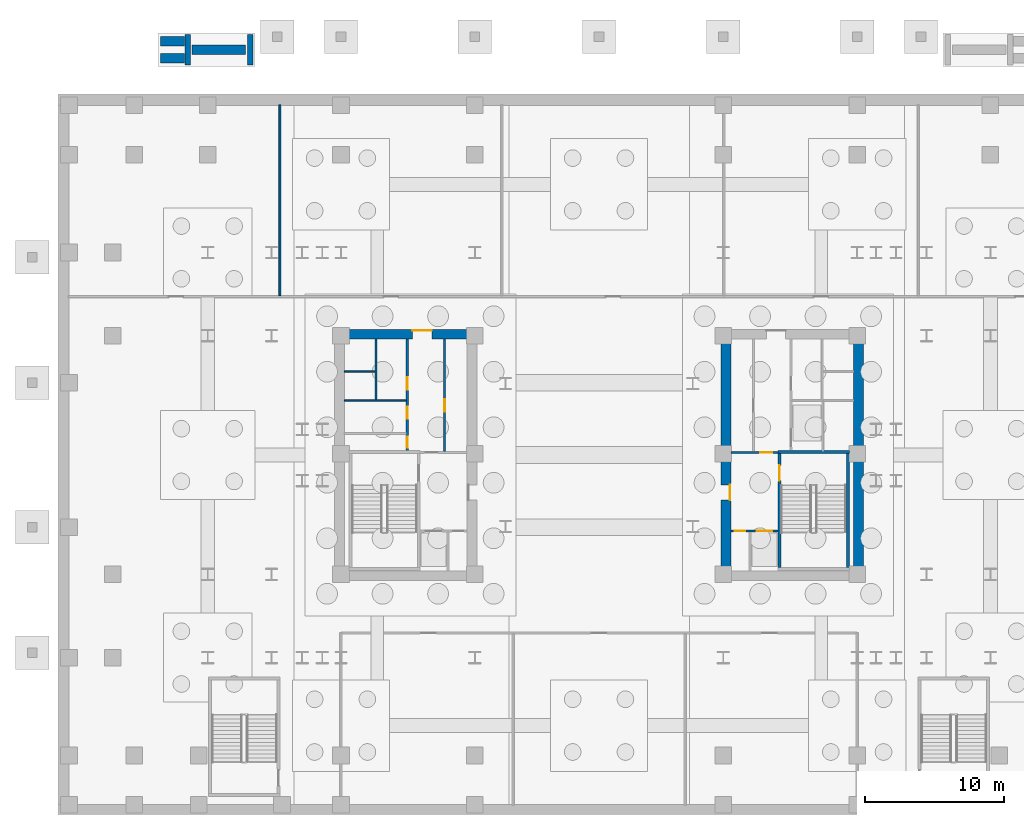
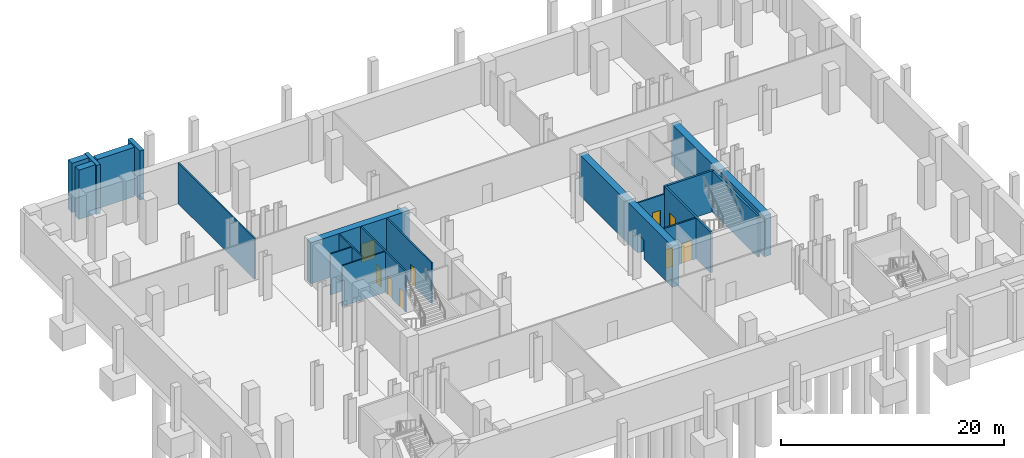
# One storey, part 5 of 10: 19 walls, 10 doors, 10 openings.
"""IFC4 building model written with IfcOpenShell, lengths in metres."""

from ifc_helpers import new_model, si_unit, direction, frame, frame_2d, origin, place, context, subcontext, project, spatial, rectangle, extrude, material, layer, layer_set, type_object, element, fill, save


model = new_model("IFC4")

# Units and contexts
model_context = context("Model", 3, precision=1e-05, world=origin(), true_north=direction((0.0, 1.0)))
body_context = subcontext(model_context, "Body", "Model", "MODEL_VIEW")
ifc_project = project(units=[si_unit("LENGTHUNIT", "METRE"), si_unit("AREAUNIT", "SQUARE_METRE"), si_unit("VOLUMEUNIT", "CUBIC_METRE"), si_unit("PLANEANGLEUNIT", "RADIAN"), si_unit("MASSUNIT", "GRAM", prefix="KILO")], contexts=[model_context])

# Site, building, storey
site_placement = place(None, origin())
site = spatial("IfcSite", under=ifc_project, at=site_placement, CompositionType="ELEMENT")
building_placement = place(site_placement, origin())
building = spatial("IfcBuilding", under=site, at=building_placement, Name="Velakula Bourse", CompositionType="ELEMENT")
storey_placement = place(building_placement, frame((0.0, 0.0, -9.60009765625)))
storey = spatial("IfcBuildingStorey", under=building, at=storey_placement, Name="B02", CompositionType="ELEMENT", Elevation=-9.60009765625)

# Wall, opening, door
ifc_material_1 = material(Name="Concrete M50 (fck 50 MPa)", Category="concrete")
ifc_layer_1 = layer(ifc_material_1, 0.2099609375, Name="Concrete M50 (fck 50 MPa)", Category="concrete")
ifc_layer_set_1 = layer_set([ifc_layer_1], Name="Concrete M50 (fck 50 MPa)")
wall_type_1 = type_object("IfcWallType", Name="WL-CORE-210", PredefinedType="SHEAR", material=ifc_layer_set_1)
wall_1_placement = place(storey_placement, frame((12.9951171875, -8.10009765625, 0.0), z_axis=(0.0, 0.0, 1.0), x_axis=(0.0, 1.0, 0.0)))
wall_1 = element("IfcWall", 1, at=wall_1_placement, inside=storey, type_object=wall_type_1, Name="B02 Core E Stairwell Shear Wall IN", PredefinedType="SHEAR", context=body_context, shape_type="SweptSolid", body=[
    extrude(rectangle(XDim=8.2001953125, YDim=0.2099609375, at=frame_2d((4.10009765625, 0.0))), origin(), (0.0, 0.0, 1.0), 4.5),
])
opening_1_placement = place(wall_1_placement, frame((6.25, 0.0, 0.0)))
opening_1 = element("IfcOpeningElement", 2, at=opening_1_placement, cuts=wall_1, Name="Opening D-STE1", PredefinedType="OPENING", context=body_context, shape_type="SweptSolid", body=[
    extrude(rectangle(XDim=1.10009765625, YDim=2.14990234375, at=frame_2d((0.550048828125, 1.074951171875))), frame((0.0, 0.114990234375, 0.0), z_axis=(0.0, -1.0, 0.0), x_axis=(1.0, 0.0, 0.0)), (0.0, 0.0, 1.0), 0.22998046875),
])
ifc_material_2 = material(Name="Galvanised painted hollow steel fire door", Category="steel")
door_type_1 = type_object("IfcDoorType", Name="DR-FD120-1100x2150", OperationType="NOTDEFINED", PredefinedType="DOOR", material=ifc_material_2)
door_1_placement = place(opening_1_placement, origin())
door_1 = element("IfcDoor", 3, at=door_1_placement, inside=storey, type_object=door_type_1, Name="B02 Stair ST-E1 Fire Door", OperationType="SINGLE_SWING_RIGHT", OverallHeight=2.14990234375, OverallWidth=1.10009765625, PredefinedType="DOOR", context=body_context, shape_type="SweptSolid", body=[
    extrude(rectangle(XDim=1.10009765625, YDim=2.14990234375, at=frame_2d((0.550048828125, 1.074951171875))), frame((0.0, 0.02490234375, 0.0), z_axis=(0.0, -1.0, 0.0), x_axis=(1.0, 0.0, 0.0)), (0.0, 0.0, 1.0), 0.050048828125),
])
fill(opening_1, door_1)

# Walls
wall_2_placement = place(storey_placement, frame((17.925048828125, -8.10009765625, 0.0), z_axis=(0.0, 0.0, 1.0), x_axis=(0.0, 1.0, 0.0)))
element("IfcWall", 4, at=wall_2_placement, inside=storey, type_object=wall_type_1, Name="B02 Core E Stairwell Shear Wall OUT", PredefinedType="SHEAR", context=body_context, shape_type="SweptSolid", body=[
    extrude(rectangle(XDim=8.2001953125, YDim=0.2099609375, at=frame_2d((4.10009765625, 0.0))), origin(), (0.0, 0.0, 1.0), 4.5),
])
wall_3_placement = place(storey_placement, frame((18.030029296875, 0.205078125, 0.0), z_axis=(0.0, 0.0, 1.0), x_axis=(-1.0, 0.0, 0.0)))
element("IfcWall", 5, at=wall_3_placement, inside=storey, type_object=wall_type_1, Name="B02 Core E Stairwell Shear Wall N", PredefinedType="SHEAR", context=body_context, shape_type="SweptSolid", body=[
    extrude(rectangle(XDim=5.14013671875, YDim=0.2099609375, at=frame_2d((2.570068359375, 0.0))), origin(), (0.0, 0.0, 1.0), 4.5),
])

# Wall, opening, door
ifc_material_3 = material(Name="Concrete M70 (fck 70 MPa)", Category="concrete")
ifc_layer_2 = layer(ifc_material_3, 0.699951171875, Name="Concrete M70 (fck 70 MPa)", Category="concrete")
ifc_layer_set_2 = layer_set([ifc_layer_2], Name="Concrete M70 (fck 70 MPa)")
wall_type_2 = type_object("IfcWallType", Name="WL-CORE-700", PredefinedType="SHEAR", material=ifc_layer_set_2)
wall_4_placement = place(storey_placement, frame((-19.050048828125, 8.699951171875, 0.0), z_axis=(0.0, 0.0, 1.0), x_axis=(1.0, 0.0, 0.0)))
wall_4 = element("IfcWall", 6, at=wall_4_placement, inside=storey, type_object=wall_type_2, Name="B02 Core W Shear Wall N", PredefinedType="SHEAR", context=body_context, shape_type="SweptSolid", body=[
    extrude(rectangle(XDim=10.25, YDim=0.699951171875, at=frame_2d((5.125, 0.0))), origin(), (0.0, 0.0, 1.0), 4.5),
])
opening_2_placement = place(wall_4_placement, frame((5.60009765625, 0.0, 0.0)))
opening_2 = element("IfcOpeningElement", 7, at=opening_2_placement, cuts=wall_4, Name="Opening D-LLW", PredefinedType="OPENING", context=body_context, shape_type="SweptSolid", body=[
    extrude(rectangle(XDim=1.39990234375, YDim=2.050048828125, at=frame_2d((0.699951171875, 1.02490234375))), frame((0.0, 0.35986328125, 0.0), z_axis=(0.0, -1.0, 0.0), x_axis=(1.0, 0.0, 0.0)), (0.0, 0.0, 1.0), 0.719970703125),
])
ifc_material_4 = material(Name="Fire-rated hardwood flush architectural door", Category="wood")
door_type_2 = type_object("IfcDoorType", Name="DR-DBL-FD60-1400", OperationType="DOUBLE_DOOR_SINGLE_SWING", PredefinedType="DOOR", material=ifc_material_4)
door_2_placement = place(opening_2_placement, origin())
door_2 = element("IfcDoor", 8, at=door_2_placement, inside=storey, type_object=door_type_2, Name="B02 Core W Lift Lobby Corridor Double Door", OperationType="DOUBLE_DOOR_SINGLE_SWING", OverallHeight=2.050048828125, OverallWidth=1.39990234375, PredefinedType="DOOR", context=body_context, shape_type="SweptSolid", body=[
    extrude(rectangle(XDim=1.39990234375, YDim=2.050048828125, at=frame_2d((0.699951171875, 1.02490234375))), frame((0.0, 0.294921875, 0.0), z_axis=(0.0, -1.0, 0.0), x_axis=(1.0, 0.0, 0.0)), (0.0, 0.0, 1.0), 0.050048828125),
])
fill(opening_2, door_2)

wall_5_placement = place(storey_placement, frame((9.14990234375, -8.35009765625, 0.0), z_axis=(0.0, 0.0, 1.0), x_axis=(0.0, 1.0, 0.0)))
wall_5 = element("IfcWall", 9, at=wall_5_placement, inside=storey, type_object=wall_type_2, Name="B02 Core E Shear Wall W", PredefinedType="SHEAR", context=body_context, shape_type="SweptSolid", body=[
    extrude(rectangle(XDim=16.7001953125, YDim=0.699951171875, at=frame_2d((8.35009765625, 0.0))), origin(), (0.0, 0.0, 1.0), 4.5),
])
opening_3_placement = place(wall_5_placement, frame((5.10009765625, 0.0, 0.0)))
opening_3 = element("IfcOpeningElement", 10, at=opening_3_placement, cuts=wall_5, Name="Opening D-FLE", PredefinedType="OPENING", context=body_context, shape_type="SweptSolid", body=[
    extrude(rectangle(XDim=1.10009765625, YDim=2.080078125, at=frame_2d((0.550048828125, 1.0400390625))), frame((0.0, 0.35986328125, 0.0), z_axis=(0.0, -1.0, 0.0), x_axis=(1.0, 0.0, 0.0)), (0.0, 0.0, 1.0), 0.719970703125),
])
door_type_3 = type_object("IfcDoorType", Name="DR-FD120-1100", OperationType="NOTDEFINED", PredefinedType="DOOR", material=ifc_material_2)
door_3_placement = place(opening_3_placement, origin())
door_3 = element("IfcDoor", 11, at=door_3_placement, inside=storey, type_object=door_type_3, Name="B02 Firefighting Lobby E Corridor Fire Door", OperationType="SINGLE_SWING_RIGHT", OverallHeight=2.080078125, OverallWidth=1.10009765625, PredefinedType="DOOR", context=body_context, shape_type="SweptSolid", body=[
    extrude(rectangle(XDim=1.10009765625, YDim=2.080078125, at=frame_2d((0.550048828125, 1.0400390625))), frame((0.0, -0.2548828125, 0.0), z_axis=(0.0, -1.0, 0.0), x_axis=(1.0, 0.0, 0.0)), (0.0, 0.0, 1.0), 0.050048828125),
])
fill(opening_3, door_3)

# Walls
wall_6_placement = place(storey_placement, frame((18.699951171875, -8.35009765625, 0.0), z_axis=(0.0, 0.0, 1.0), x_axis=(0.0, 1.0, 0.0)))
element("IfcWall", 12, at=wall_6_placement, inside=storey, type_object=wall_type_2, Name="B02 Core E Shear Wall E", PredefinedType="SHEAR", context=body_context, shape_type="SweptSolid", body=[
    extrude(rectangle(XDim=16.7001953125, YDim=0.699951171875, at=frame_2d((8.35009765625, 0.0))), origin(), (0.0, 0.0, 1.0), 4.5),
])
ifc_material_5 = material(Name="Fire-rated double-layer gypsum drywall partition", Category="gypsum")
ifc_layer_3 = layer(ifc_material_5, 0.1201171875, Name="Fire-rated double-layer gypsum drywall partition", Category="gypsum")
ifc_layer_set_3 = layer_set([ifc_layer_3], Name="Fire-rated double-layer gypsum drywall partition")
wall_type_3 = type_object("IfcWallType", Name="WL-PART-120", PredefinedType="STANDARD", material=ifc_layer_set_3)
wall_7_placement = place(storey_placement, frame((-18.35009765625, 3.919921875, 0.0), z_axis=(0.0, 0.0, 1.0), x_axis=(1.0, 0.0, 0.0)))
element("IfcWall", 13, at=wall_7_placement, inside=storey, type_object=wall_type_3, Name="B02 Interior Partition WL-CRW-B02-HI-S", PredefinedType="STANDARD", context=body_context, shape_type="SweptSolid", body=[
    extrude(rectangle(XDim=4.4501953125, YDim=0.1201171875, at=frame_2d((2.22509765625, 0.0))), origin(), (0.0, 0.0, 1.0), 4.47998046875),
])
wall_8_placement = place(storey_placement, frame((-18.35009765625, 6.030029296875, 0.0), z_axis=(0.0, 0.0, 1.0), x_axis=(1.0, 0.0, 0.0)))
element("IfcWall", 14, at=wall_8_placement, inside=storey, type_object=wall_type_3, Name="B02 Interior Partition WL-CRW-B02-RIS-MID", PredefinedType="STANDARD", context=body_context, shape_type="SweptSolid", body=[
    extrude(rectangle(XDim=2.2001953125, YDim=0.1201171875, at=frame_2d((1.10009765625, 0.0))), origin(), (0.0, 0.0, 1.0), 4.47998046875),
])
wall_9_placement = place(storey_placement, frame((-16.074951171875, 3.97998046875, 0.0), z_axis=(0.0, 0.0, 1.0), x_axis=(0.0, 1.0, 0.0)))
element("IfcWall", 15, at=wall_9_placement, inside=storey, type_object=wall_type_3, Name="B02 Interior Partition WL-CRW-B02-RIS-F", PredefinedType="STANDARD", context=body_context, shape_type="SweptSolid", body=[
    extrude(rectangle(XDim=4.3701171875, YDim=0.1201171875, at=frame_2d((2.18505859375, 0.0))), origin(), (0.0, 0.0, 1.0), 4.47998046875),
])
ifc_layer_4 = layer(ifc_material_5, 0.139892578125, Name="Fire-rated double-layer gypsum drywall partition", Category="gypsum")
ifc_layer_set_4 = layer_set([ifc_layer_4], Name="Fire-rated double-layer gypsum drywall partition")
wall_type_4 = type_object("IfcWallType", Name="WL-PART-140", PredefinedType="STANDARD", material=ifc_layer_set_4)
wall_10_placement = place(storey_placement, frame((-23.0, 11.489990234375, 0.0), z_axis=(0.0, 0.0, 1.0), x_axis=(0.0, 1.0, 0.0)))
element("IfcWall", 16, at=wall_10_placement, inside=storey, type_object=wall_type_4, Name="B02 Interior Partition WL-POD-B02-ND1", PredefinedType="STANDARD", context=body_context, shape_type="SweptSolid", body=[
    extrude(rectangle(XDim=13.75, YDim=0.139892578125, at=frame_2d((6.875, 0.0))), origin(), (0.0, 0.0, 1.0), 4.47998046875),
])
ifc_layer_5 = layer(ifc_material_3, 0.679931640625, Name="Concrete M70 (fck 70 MPa)", Category="concrete")
ifc_layer_set_5 = layer_set([ifc_layer_5], Name="Concrete M70 (fck 70 MPa)")
wall_type_5 = type_object("IfcWallType", Name="WL-RET-680", PredefinedType="SOLIDWALL", material=ifc_layer_set_5)
for number, where, z_axis, x_axis, name in (
    (17, (-29.639892578125, 28.10009765625, -0.599853515625), (0.0, 0.0, 1.0), (0.0, 1.0, 0.0), "B02 Flood-Ramp BOT Abutment Wall NW"),
    (18, (-25.139892578125, 28.10009765625, -0.599853515625), (0.0, 0.0, 1.0), (0.0, 1.0, 0.0), "B02 Flood-Ramp TOP Abutment Wall NW"),
):
    element("IfcWall", number, at=place(storey_placement, frame(where, z_axis=z_axis, x_axis=x_axis)), inside=storey, type_object=wall_type_5, Name=name, PredefinedType="SOLIDWALL", context=body_context, shape_type="SweptSolid", body=[
        extrude(rectangle(XDim=2.199951171875, YDim=0.39990234375, at=frame_2d((1.10009765625, 0.0))), origin(), (0.0, 0.0, 1.0), 5.39990234375),
    ])
wall_11_placement = place(storey_placement, frame((-29.320068359375, 29.199951171875, -0.599853515625), z_axis=(0.0, 0.0, 1.0), x_axis=(1.0, 0.0, 0.0)))
element("IfcWall", 19, at=wall_11_placement, inside=storey, type_object=wall_type_5, Name="B02 Flood-Ramp Central Retaining Stem Wall NW", PredefinedType="SOLIDWALL", context=body_context, shape_type="SweptSolid", body=[
    extrude(rectangle(XDim=3.840087890625, YDim=0.679931640625, at=frame_2d((1.919921875, 0.0))), origin(), (0.0, 0.0, 1.0), 5.39990234375),
])
for number, where, z_axis, x_axis, name in (
    (20, (-31.60009765625, 28.580078125, -0.599853515625), (0.0, 0.0, 1.0), (1.0, 0.0, 0.0), "B02 Flood-Ramp Landing Stem Wall NW-1"),
    (21, (-31.60009765625, 29.820068359375, -0.599853515625), (0.0, 0.0, 1.0), (1.0, 0.0, 0.0), "B02 Flood-Ramp Landing Stem Wall NW-2"),
):
    element("IfcWall", number, at=place(storey_placement, frame(where, z_axis=z_axis, x_axis=x_axis)), inside=storey, type_object=wall_type_5, Name=name, PredefinedType="SOLIDWALL", context=body_context, shape_type="SweptSolid", body=[
        extrude(rectangle(XDim=1.739990234375, YDim=0.679931640625, at=frame_2d((0.8701171875, 0.0))), origin(), (0.0, 0.0, 1.0), 5.39990234375),
    ])

# Wall, opening, door
ifc_material_6 = material(Name="Autoclaved aerated concrete blockwork masonry", Category="masonry")
ifc_layer_6 = layer(ifc_material_6, 0.14990234375, Name="Autoclaved aerated concrete blockwork masonry", Category="masonry")
ifc_layer_set_6 = layer_set([ifc_layer_6], Name="Autoclaved aerated concrete blockwork masonry")
wall_type_6 = type_object("IfcWallType", Name="WL-SHAFT-150", PredefinedType="STANDARD", material=ifc_layer_set_6)
wall_12_placement = place(storey_placement, frame((-11.125, 0.27001953125, 0.0), z_axis=(0.0, 0.0, 1.0), x_axis=(0.0, 1.0, 0.0)))
wall_12 = element("IfcWall", 22, at=wall_12_placement, inside=storey, type_object=wall_type_6, Name="B02 Interior Partition WL-CRW-B02-BANK-F", PredefinedType="STANDARD", context=body_context, shape_type="SweptSolid", body=[
    extrude(rectangle(XDim=8.080078125, YDim=0.14990234375, at=frame_2d((4.0400390625, 0.0))), origin(), (0.0, 0.0, 1.0), 4.47998046875),
])
opening_4_placement = place(wall_12_placement, frame((2.85009765625, 0.0, 0.0)))
opening_4 = element("IfcOpeningElement", 23, at=opening_4_placement, cuts=wall_12, Name="Opening D-CR1", PredefinedType="OPENING", context=body_context, shape_type="SweptSolid", body=[
    extrude(rectangle(XDim=0.89990234375, YDim=2.050048828125, at=frame_2d((0.449951171875, 1.02490234375))), frame((0.0, 0.0849609375, 0.0), z_axis=(0.0, -1.0, 0.0), x_axis=(1.0, 0.0, 0.0)), (0.0, 0.0, 1.0), 0.169921875),
])
door_type_4 = type_object("IfcDoorType", Name="DR-FD60-900", OperationType="NOTDEFINED", PredefinedType="DOOR", material=ifc_material_4)
door_4_placement = place(opening_4_placement, origin())
door_4 = element("IfcDoor", 24, at=door_4_placement, inside=storey, type_object=door_type_4, Name="B02 Core West Pit Room Door", OperationType="SINGLE_SWING_LEFT", OverallHeight=2.050048828125, OverallWidth=0.89990234375, PredefinedType="DOOR", context=body_context, shape_type="SweptSolid", body=[
    extrude(rectangle(XDim=0.89990234375, YDim=2.050048828125, at=frame_2d((0.449951171875, 1.02490234375))), frame((0.0, 0.02490234375, 0.0), z_axis=(0.0, -1.0, 0.0), x_axis=(1.0, 0.0, 0.0)), (0.0, 0.0, 1.0), 0.050048828125),
])
fill(opening_4, door_4)

# Wall, openings, doors
wall_13_placement = place(storey_placement, frame((-13.824951171875, 0.27001953125, 0.0), z_axis=(0.0, 0.0, 1.0), x_axis=(0.0, 1.0, 0.0)))
wall_13 = element("IfcWall", 25, at=wall_13_placement, inside=storey, type_object=wall_type_6, Name="B02 Interior Partition WL-CRW-B02-OUT-F", PredefinedType="STANDARD", context=body_context, shape_type="SweptSolid", body=[
    extrude(rectangle(XDim=8.080078125, YDim=0.14990234375, at=frame_2d((4.0400390625, 0.0))), origin(), (0.0, 0.0, 1.0), 4.47998046875),
])
opening_5_placement = place(wall_13_placement, frame((4.449951171875, 0.0, 0.0)))
opening_5 = element("IfcOpeningElement", 26, at=opening_5_placement, cuts=wall_13, Name="Opening D-CR2", PredefinedType="OPENING", context=body_context, shape_type="SweptSolid", body=[
    extrude(rectangle(XDim=0.89990234375, YDim=2.050048828125, at=frame_2d((0.449951171875, 1.02490234375))), frame((0.0, 0.0849609375, 0.0), z_axis=(0.0, -1.0, 0.0), x_axis=(1.0, 0.0, 0.0)), (0.0, 0.0, 1.0), 0.169921875),
])
opening_6_placement = place(wall_13_placement, frame((0.25, 0.0, 0.0)))
opening_6 = element("IfcOpeningElement", 27, at=opening_6_placement, cuts=wall_13, Name="Opening D-CS1", PredefinedType="OPENING", context=body_context, shape_type="SweptSolid", body=[
    extrude(rectangle(XDim=0.800048828125, YDim=2.050048828125, at=frame_2d((0.39990234375, 1.02490234375))), frame((0.0, 0.0849609375, 0.0), z_axis=(0.0, -1.0, 0.0), x_axis=(1.0, 0.0, 0.0)), (0.0, 0.0, 1.0), 0.169921875),
])
opening_7_placement = place(wall_13_placement, frame((2.35009765625, 0.0, 0.0)))
opening_7 = element("IfcOpeningElement", 28, at=opening_7_placement, cuts=wall_13, Name="Opening D-CW1", PredefinedType="OPENING", context=body_context, shape_type="SweptSolid", body=[
    extrude(rectangle(XDim=0.85009765625, YDim=2.050048828125, at=frame_2d((0.425048828125, 1.02490234375))), frame((0.0, 0.0849609375, 0.0), z_axis=(0.0, -1.0, 0.0), x_axis=(1.0, 0.0, 0.0)), (0.0, 0.0, 1.0), 0.169921875),
])
door_5_placement = place(opening_5_placement, origin())
door_5 = element("IfcDoor", 29, at=door_5_placement, inside=storey, type_object=door_type_4, Name="B02 High-Rise Buffer Room Door", OperationType="SINGLE_SWING_RIGHT", OverallHeight=2.050048828125, OverallWidth=0.89990234375, PredefinedType="DOOR", context=body_context, shape_type="SweptSolid", body=[
    extrude(rectangle(XDim=0.89990234375, YDim=2.050048828125, at=frame_2d((0.449951171875, 1.02490234375))), frame((0.0, 0.02490234375, 0.0), z_axis=(0.0, -1.0, 0.0), x_axis=(1.0, 0.0, 0.0)), (0.0, 0.0, 1.0), 0.050048828125),
])
fill(opening_5, door_5)
door_type_5 = type_object("IfcDoorType", Name="DR-INT-850", OperationType="NOTDEFINED", PredefinedType="DOOR", material=ifc_material_4)
door_6_placement = place(opening_7_placement, origin())
door_6 = element("IfcDoor", 30, at=door_6_placement, inside=storey, type_object=door_type_5, Name="B02 Core Janitor Closet Door", OperationType="SINGLE_SWING_RIGHT", OverallHeight=2.050048828125, OverallWidth=0.85009765625, PredefinedType="DOOR", context=body_context, shape_type="SweptSolid", body=[
    extrude(rectangle(XDim=0.85009765625, YDim=2.050048828125, at=frame_2d((0.425048828125, 1.02490234375))), frame((0.0, 0.02490234375, 0.0), z_axis=(0.0, -1.0, 0.0), x_axis=(1.0, 0.0, 0.0)), (0.0, 0.0, 1.0), 0.050048828125),
])
fill(opening_7, door_6)
door_type_6 = type_object("IfcDoorType", Name="DR-RISER-800x2050", OperationType="NOTDEFINED", PredefinedType="DOOR", material=ifc_material_2)
door_7_placement = place(opening_6_placement, origin())
door_7 = element("IfcDoor", 31, at=door_7_placement, inside=storey, type_object=door_type_6, Name="B02 Core Cleaner Store Door", OperationType="SINGLE_SWING_LEFT", OverallHeight=2.050048828125, OverallWidth=0.800048828125, PredefinedType="DOOR", context=body_context, shape_type="SweptSolid", body=[
    extrude(rectangle(XDim=0.800048828125, YDim=2.050048828125, at=frame_2d((0.39990234375, 1.02490234375))), frame((0.0, 0.02490234375, 0.0), z_axis=(0.0, -1.0, 0.0), x_axis=(1.0, 0.0, 0.0)), (0.0, 0.0, 1.0), 0.050048828125),
])
fill(opening_6, door_7)

wall_14_placement = place(storey_placement, frame((9.5, -5.47509765625, 0.0), z_axis=(0.0, 0.0, 1.0), x_axis=(1.0, 0.0, 0.0)))
wall_14 = element("IfcWall", 32, at=wall_14_placement, inside=storey, type_object=wall_type_6, Name="B02 Interior Partition WL-CRE-B02-FFL-N", PredefinedType="STANDARD", context=body_context, shape_type="SweptSolid", body=[
    extrude(rectangle(XDim=3.39501953125, YDim=0.14990234375, at=frame_2d((1.697509765625, 0.0))), origin(), (0.0, 0.0, 1.0), 4.47998046875),
])
opening_8_placement = place(wall_14_placement, frame((1.875, 0.0, 0.0)))
opening_8 = element("IfcOpeningElement", 33, at=opening_8_placement, cuts=wall_14, Name="Opening LD-FFL-2", PredefinedType="OPENING", context=body_context, shape_type="SweptSolid", body=[
    extrude(rectangle(XDim=1.10009765625, YDim=2.14990234375, at=frame_2d((0.550048828125, 1.074951171875))), frame((0.0, 0.0849609375, 0.0), z_axis=(0.0, -1.0, 0.0), x_axis=(1.0, 0.0, 0.0)), (0.0, 0.0, 1.0), 0.169921875),
])
opening_9_placement = place(wall_14_placement, frame((0.27490234375, 0.0, 0.0)))
opening_9 = element("IfcOpeningElement", 34, at=opening_9_placement, cuts=wall_14, Name="Opening D-RS1", PredefinedType="OPENING", context=body_context, shape_type="SweptSolid", body=[
    extrude(rectangle(XDim=0.75, YDim=2.050048828125, at=frame_2d((0.375, 1.02490234375))), frame((0.0, 0.0849609375, 0.0), z_axis=(0.0, -1.0, 0.0), x_axis=(1.0, 0.0, 0.0)), (0.0, 0.0, 1.0), 0.169921875),
])
door_type_7 = type_object("IfcDoorType", Name="DR-RISER-800", OperationType="NOTDEFINED", PredefinedType="DOOR", material=ifc_material_2)
door_8_placement = place(opening_9_placement, origin())
door_8 = element("IfcDoor", 35, at=door_8_placement, inside=storey, type_object=door_type_7, Name="B02 Fire Riser Access Door", OperationType="SINGLE_SWING_LEFT", OverallHeight=2.050048828125, OverallWidth=0.75, PredefinedType="DOOR", context=body_context, shape_type="SweptSolid", body=[
    extrude(rectangle(XDim=0.75, YDim=2.050048828125, at=frame_2d((0.375, 1.02490234375))), frame((0.0, 0.02490234375, 0.0), z_axis=(0.0, -1.0, 0.0), x_axis=(1.0, 0.0, 0.0)), (0.0, 0.0, 1.0), 0.050048828125),
])
fill(opening_9, door_8)
ifc_material_7 = material(Name="Brushed grade 316 stainless steel", Category="steel")
door_type_8 = type_object("IfcDoorType", Name="DR-SLIDE-FFL-1100", OperationType="DOUBLE_DOOR_SLIDING", PredefinedType="DOOR", material=ifc_material_7)
door_9_placement = place(opening_8_placement, origin())
door_9 = element("IfcDoor", 36, at=door_9_placement, inside=storey, type_object=door_type_8, Name="B02 Firefighting Lift FFL-2 Sliding Landing Door", OperationType="DOUBLE_DOOR_SLIDING", OverallHeight=2.14990234375, OverallWidth=1.10009765625, PredefinedType="DOOR", context=body_context, shape_type="SweptSolid", body=[
    extrude(rectangle(XDim=1.10009765625, YDim=2.14990234375, at=frame_2d((0.550048828125, 1.074951171875))), frame((0.0, 0.02490234375, 0.0), z_axis=(0.0, -1.0, 0.0), x_axis=(1.0, 0.0, 0.0)), (0.0, 0.0, 1.0), 0.050048828125),
])
fill(opening_8, door_9)

# Wall, opening, door
wall_15_placement = place(storey_placement, frame((9.5, 0.18994140625, 0.0), z_axis=(0.0, 0.0, 1.0), x_axis=(1.0, 0.0, 0.0)))
wall_15 = element("IfcWall", 37, at=wall_15_placement, inside=storey, type_object=wall_type_6, Name="B02 Interior Partition WL-CRE-B02-FF-TOP", PredefinedType="STANDARD", context=body_context, shape_type="SweptSolid", body=[
    extrude(rectangle(XDim=3.389892578125, YDim=0.14990234375, at=frame_2d((1.69482421875, 0.0))), origin(), (0.0, 0.0, 1.0), 3.675048828125),
])
opening_10_placement = place(wall_15_placement, frame((2.125, 0.0, 0.0)))
opening_10 = element("IfcOpeningElement", 38, at=opening_10_placement, cuts=wall_15, Name="Opening D-FC1", PredefinedType="OPENING", context=body_context, shape_type="SweptSolid", body=[
    extrude(rectangle(XDim=0.85009765625, YDim=2.0400390625, at=frame_2d((0.425048828125, 1.02001953125))), frame((0.0, 0.0849609375, 0.0), z_axis=(0.0, -1.0, 0.0), x_axis=(1.0, 0.0, 0.0)), (0.0, 0.0, 1.0), 0.169921875),
])
door_type_9 = type_object("IfcDoorType", Name="DR-FD120-850", OperationType="NOTDEFINED", PredefinedType="DOOR", material=ifc_material_2)
door_10_placement = place(opening_10_placement, origin())
door_10 = element("IfcDoor", 39, at=door_10_placement, inside=storey, type_object=door_type_9, Name="B02 Firefighting Lobby Link Fire Door", OperationType="SINGLE_SWING_LEFT", OverallHeight=2.0400390625, OverallWidth=0.85009765625, PredefinedType="DOOR", context=body_context, shape_type="SweptSolid", body=[
    extrude(rectangle(XDim=0.85009765625, YDim=2.0400390625, at=frame_2d((0.425048828125, 1.02001953125))), frame((0.0, 0.02490234375, 0.0), z_axis=(0.0, -1.0, 0.0), x_axis=(1.0, 0.0, 0.0)), (0.0, 0.0, 1.0), 0.050048828125),
])
fill(opening_10, door_10)

save(model, "model.ifc")
